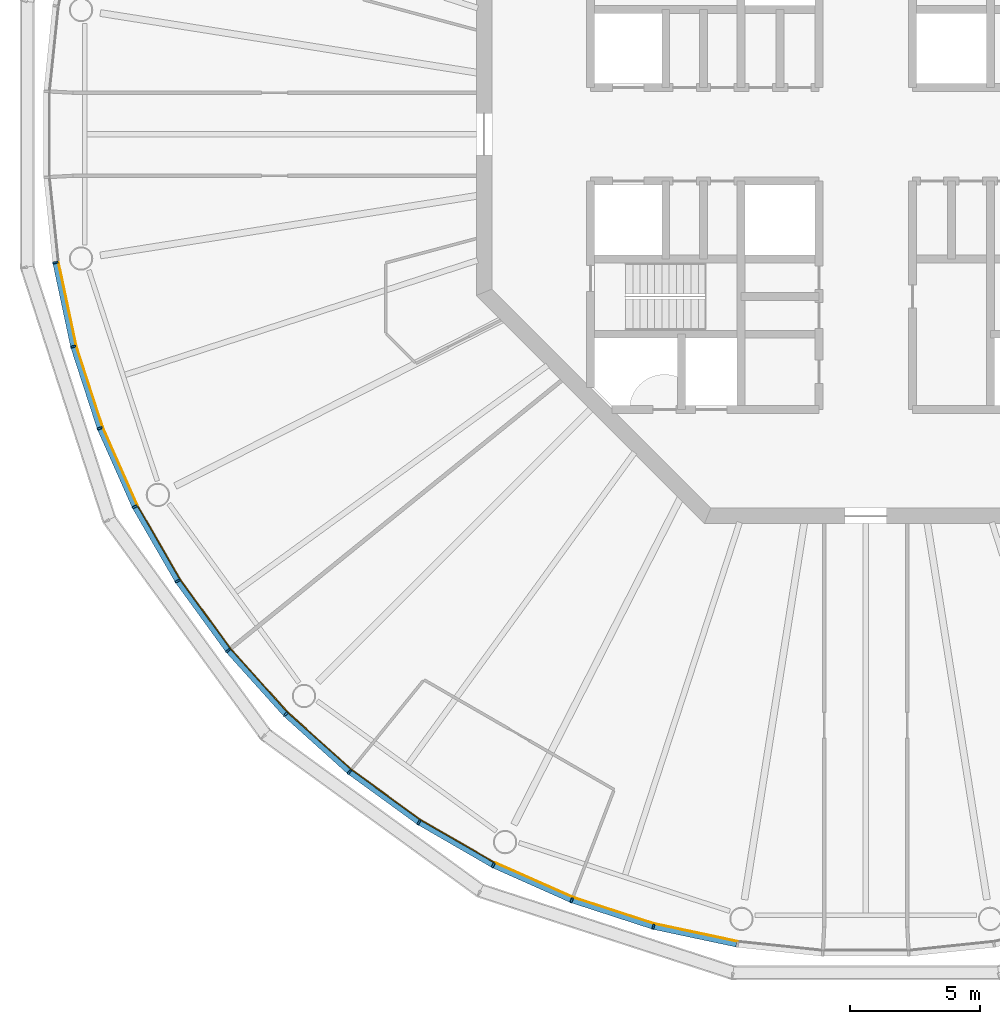
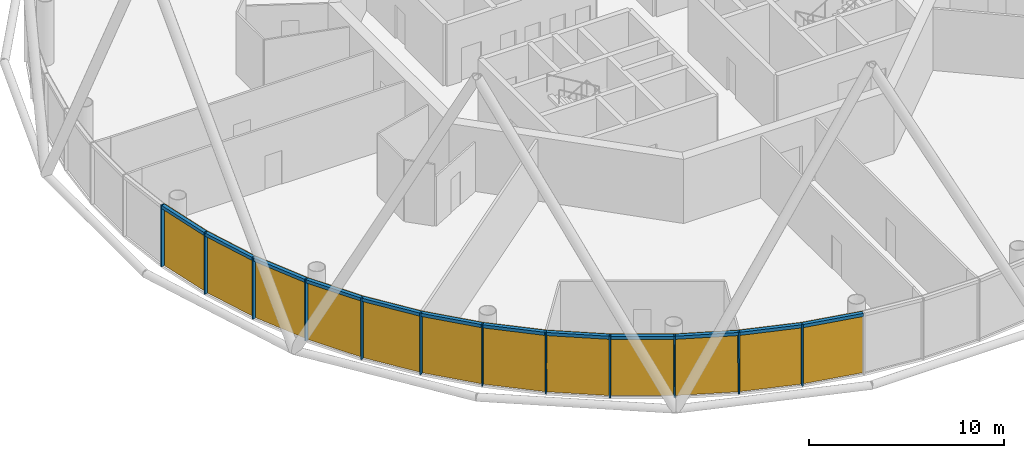
# One storey, part 7 of 13: 24 members, 4 curtain walls.
"""IFC4 building model written with IfcOpenShell, lengths in metres."""

from ifc_helpers import new_model, si_unit, direction, frame, origin, origin_2d, place, context, subcontext, project, spatial, polyline, rectangle, outline, extrude, material, layer, layer_set, material_profile, profile_set, type_object, element, aggregate, save


model = new_model("IFC4")

# Units and contexts
model_context = context("Model", 3, precision=1e-05, world=origin(), true_north=direction((0.0, 1.0)))
body_context = subcontext(model_context, "Body", "Model", "MODEL_VIEW")
ifc_project = project(units=[si_unit("LENGTHUNIT", "METRE"), si_unit("AREAUNIT", "SQUARE_METRE"), si_unit("VOLUMEUNIT", "CUBIC_METRE"), si_unit("PLANEANGLEUNIT", "RADIAN"), si_unit("MASSUNIT", "GRAM", prefix="KILO")], contexts=[model_context])

# Member
ifc_material_1 = material(Name="Anodised aluminium", Category="aluminium")
ifc_material_profile_1 = material_profile(ifc_material_1, rectangle(XDim=0.070068359375, YDim=0.205078125, at=origin_2d()), Name="Mullion 70 x 205 mm anodised aluminium")
ifc_profile_set_1 = profile_set([ifc_material_profile_1], Name="Anodised aluminium")
member_type_1 = type_object("IfcMemberType", Name="Mullion 70 x 205 mm anodised aluminium", PredefinedType="MULLION", material=ifc_profile_set_1)
site_placement = place(None, origin())
building_placement = place(site_placement, origin())
storey_placement = place(building_placement, frame((0.0, 0.0, 336.0)))
member_1_placement = place(storey_placement, frame((58.78662109375, 75.056396484375, 0.0), z_axis=(0.0, 0.0, 1.0), x_axis=(0.15643446504, -0.987688340595, 0.0)))
member_1 = element("IfcMember", 1, at=member_1_placement, type_object=member_type_1, Name="MULLION L77-30", PredefinedType="MULLION", context=body_context, shape_type="SweptSolid", body=[
    extrude(rectangle(XDim=0.070068359375, YDim=0.205078125, at=origin_2d()), origin(), (0.0, 0.0, 1.0), 3.85009765625),
])

member_2_placement = place(storey_placement, frame((59.474365234375, 71.820556640625, 0.0), z_axis=(0.0, 0.0, 1.0), x_axis=(0.258819045103, -0.965925826289, 0.0)))
member_2 = element("IfcMember", 2, at=member_2_placement, type_object=member_type_1, Name="MULLION L77-31", PredefinedType="MULLION", context=body_context, shape_type="SweptSolid", body=[
    extrude(rectangle(XDim=0.070068359375, YDim=0.205078125, at=origin_2d()), origin(), (0.0, 0.0, 1.0), 3.85009765625),
])

member_3_placement = place(storey_placement, frame((60.49658203125, 68.674560546875, 0.0), z_axis=(0.0, 0.0, 1.0), x_axis=(0.358367949545, -0.933580426497, 0.0)))
member_3 = element("IfcMember", 3, at=member_3_placement, type_object=member_type_1, Name="MULLION L77-32", PredefinedType="MULLION", context=body_context, shape_type="SweptSolid", body=[
    extrude(rectangle(XDim=0.070068359375, YDim=0.205078125, at=origin_2d()), origin(), (0.0, 0.0, 1.0), 3.85009765625),
])

member_4_placement = place(storey_placement, frame((61.842041015625, 65.65283203125, 0.0), z_axis=(0.0, 0.0, 1.0), x_axis=(0.45399049974, -0.891006524188, 0.0)))
member_4 = element("IfcMember", 4, at=member_4_placement, type_object=member_type_1, Name="MULLION L77-33", PredefinedType="MULLION", context=body_context, shape_type="SweptSolid", body=[
    extrude(rectangle(XDim=0.070068359375, YDim=0.205078125, at=origin_2d()), origin(), (0.0, 0.0, 1.0), 3.85009765625),
])

member_5_placement = place(storey_placement, frame((63.495849609375, 62.7880859375, 0.0), z_axis=(0.0, 0.0, 1.0), x_axis=(0.544639035015, -0.838670567945, 0.0)))
member_5 = element("IfcMember", 5, at=member_5_placement, type_object=member_type_1, Name="MULLION L77-34", PredefinedType="MULLION", context=body_context, shape_type="SweptSolid", body=[
    extrude(rectangle(XDim=0.070068359375, YDim=0.205078125, at=origin_2d()), origin(), (0.0, 0.0, 1.0), 3.85009765625),
])

member_6_placement = place(storey_placement, frame((65.440185546875, 60.11181640625, 0.0), z_axis=(0.0, 0.0, 1.0), x_axis=(0.62932039105, -0.777145961457, 0.0)))
member_6 = element("IfcMember", 6, at=member_6_placement, type_object=member_type_1, Name="MULLION L77-35", PredefinedType="MULLION", context=body_context, shape_type="SweptSolid", body=[
    extrude(rectangle(XDim=0.070068359375, YDim=0.205078125, at=origin_2d()), origin(), (0.0, 0.0, 1.0), 3.85009765625),
])

member_7_placement = place(storey_placement, frame((67.653564453125, 57.653564453125, 0.0), z_axis=(0.0, 0.0, 1.0), x_axis=(0.707106781187, -0.707106781187, 0.0)))
member_7 = element("IfcMember", 7, at=member_7_placement, type_object=member_type_1, Name="MULLION L77-36", PredefinedType="MULLION", context=body_context, shape_type="SweptSolid", body=[
    extrude(rectangle(XDim=0.070068359375, YDim=0.205078125, at=origin_2d()), origin(), (0.0, 0.0, 1.0), 3.85009765625),
])

member_8_placement = place(storey_placement, frame((70.11181640625, 55.440185546875, 0.0), z_axis=(0.0, 0.0, 1.0), x_axis=(0.777145961457, -0.62932039105, 0.0)))
member_8 = element("IfcMember", 8, at=member_8_placement, type_object=member_type_1, Name="MULLION L77-37", PredefinedType="MULLION", context=body_context, shape_type="SweptSolid", body=[
    extrude(rectangle(XDim=0.070068359375, YDim=0.205078125, at=origin_2d()), origin(), (0.0, 0.0, 1.0), 3.85009765625),
])

member_9_placement = place(storey_placement, frame((72.7880859375, 53.495849609375, 0.0), z_axis=(0.0, 0.0, 1.0), x_axis=(0.838670567945, -0.544639035015, 0.0)))
member_9 = element("IfcMember", 9, at=member_9_placement, type_object=member_type_1, Name="MULLION L77-38", PredefinedType="MULLION", context=body_context, shape_type="SweptSolid", body=[
    extrude(rectangle(XDim=0.070068359375, YDim=0.205078125, at=origin_2d()), origin(), (0.0, 0.0, 1.0), 3.85009765625),
])

member_10_placement = place(storey_placement, frame((75.65283203125, 51.842041015625, 0.0), z_axis=(0.0, 0.0, 1.0), x_axis=(0.891006524188, -0.45399049974, 0.0)))
member_10 = element("IfcMember", 10, at=member_10_placement, type_object=member_type_1, Name="MULLION L77-39", PredefinedType="MULLION", context=body_context, shape_type="SweptSolid", body=[
    extrude(rectangle(XDim=0.070068359375, YDim=0.205078125, at=origin_2d()), origin(), (0.0, 0.0, 1.0), 3.85009765625),
])

member_11_placement = place(storey_placement, frame((78.674560546875, 50.49658203125, 0.0), z_axis=(0.0, 0.0, 1.0), x_axis=(0.933580426497, -0.358367949545, 0.0)))
member_11 = element("IfcMember", 11, at=member_11_placement, type_object=member_type_1, Name="MULLION L77-40", PredefinedType="MULLION", context=body_context, shape_type="SweptSolid", body=[
    extrude(rectangle(XDim=0.070068359375, YDim=0.205078125, at=origin_2d()), origin(), (0.0, 0.0, 1.0), 3.85009765625),
])

member_12_placement = place(storey_placement, frame((81.820556640625, 49.474365234375, 0.0), z_axis=(0.0, 0.0, 1.0), x_axis=(0.965925826289, -0.258819045103, 0.0)))
member_12 = element("IfcMember", 12, at=member_12_placement, type_object=member_type_1, Name="MULLION L77-41", PredefinedType="MULLION", context=body_context, shape_type="SweptSolid", body=[
    extrude(rectangle(XDim=0.070068359375, YDim=0.205078125, at=origin_2d()), origin(), (0.0, 0.0, 1.0), 3.85009765625),
])

ifc_material_2 = material(Name="Anodised aluminium", Category="aluminium")
ifc_material_profile_2 = material_profile(ifc_material_2, rectangle(XDim=0.205078125, YDim=0.195068359375, at=origin_2d()), Name="Transom 195 x 205 mm anodised aluminium")
ifc_profile_set_2 = profile_set([ifc_material_profile_2], Name="Anodised aluminium")
member_type_2 = type_object("IfcMemberType", Name="Transom 195 x 205 mm anodised aluminium", PredefinedType="USERDEFINED", material=ifc_profile_set_2)
member_13_placement = place(storey_placement, frame((58.794921875, 75.016845703125, 3.75244140625), z_axis=(0.207885898771, -0.978153082647, 0.0), x_axis=(0.978153082647, 0.207885898771, 0.0)))
member_13 = element("IfcMember", 13, at=member_13_placement, type_object=member_type_2, Name="TRANSOM L77-30", ObjectType="TRANSOM", PredefinedType="USERDEFINED", context=body_context, shape_type="SweptSolid", body=[
    extrude(rectangle(XDim=0.205078125, YDim=0.195068359375, at=origin_2d()), origin(), (0.0, 0.0, 1.0), 3.227294921875),
])

member_14_placement = place(storey_placement, frame((59.486572265625, 71.7822265625, 3.75244140625), z_axis=(0.309046726844, -0.951046855117, 0.0), x_axis=(0.951046855117, 0.309046726844, 0.0)))
member_14 = element("IfcMember", 14, at=member_14_placement, type_object=member_type_2, Name="TRANSOM L77-31", ObjectType="TRANSOM", PredefinedType="USERDEFINED", context=body_context, shape_type="SweptSolid", body=[
    extrude(rectangle(XDim=0.205078125, YDim=0.195068359375, at=origin_2d()), origin(), (0.0, 0.0, 1.0), 3.22705078125),
])

member_15_placement = place(storey_placement, frame((60.5126953125, 68.6376953125, 3.75244140625), z_axis=(0.406791170024, -0.913521178731, 0.0), x_axis=(0.913521178731, 0.406791170024, 0.0)))
member_15 = element("IfcMember", 15, at=member_15_placement, type_object=member_type_2, Name="TRANSOM L77-32", ObjectType="TRANSOM", PredefinedType="USERDEFINED", context=body_context, shape_type="SweptSolid", body=[
    extrude(rectangle(XDim=0.205078125, YDim=0.195068359375, at=origin_2d()), origin(), (0.0, 0.0, 1.0), 3.22705078125),
])

member_16_placement = place(storey_placement, frame((61.862060546875, 65.61767578125, 3.75244140625), z_axis=(0.500004055213, -0.866023062494, 0.0), x_axis=(0.866023062494, 0.500004055213, 0.0)))
member_16 = element("IfcMember", 16, at=member_16_placement, type_object=member_type_2, Name="TRANSOM L77-33", ObjectType="TRANSOM", PredefinedType="USERDEFINED", context=body_context, shape_type="SweptSolid", body=[
    extrude(rectangle(XDim=0.205078125, YDim=0.195068359375, at=origin_2d()), origin(), (0.0, 0.0, 1.0), 3.22705078125),
])

member_17_placement = place(storey_placement, frame((63.51953125, 62.75537109375, 3.75244140625), z_axis=(0.587802790201, -0.809004252048, 0.0), x_axis=(0.809004252048, 0.587802790201, 0.0)))
member_17 = element("IfcMember", 17, at=member_17_placement, type_object=member_type_2, Name="TRANSOM L77-34", ObjectType="TRANSOM", PredefinedType="USERDEFINED", context=body_context, shape_type="SweptSolid", body=[
    extrude(rectangle(XDim=0.205078125, YDim=0.195068359375, at=origin_2d()), origin(), (0.0, 0.0, 1.0), 3.227294921875),
])

member_18_placement = place(storey_placement, frame((65.467041015625, 60.081787109375, 3.75244140625), z_axis=(0.669144438484, -0.743132370743, 0.0), x_axis=(0.743132370743, 0.669144438484, 0.0)))
member_18 = element("IfcMember", 18, at=member_18_placement, type_object=member_type_2, Name="TRANSOM L77-35", ObjectType="TRANSOM", PredefinedType="USERDEFINED", context=body_context, shape_type="SweptSolid", body=[
    extrude(rectangle(XDim=0.205078125, YDim=0.195068359375, at=origin_2d()), origin(), (0.0, 0.0, 1.0), 3.22705078125),
])

member_19_placement = place(storey_placement, frame((67.68359375, 57.62646484375, 3.75244140625), z_axis=(0.743132370743, -0.669144438484, 0.0), x_axis=(0.669144438484, 0.743132370743, 0.0)))
member_19 = element("IfcMember", 19, at=member_19_placement, type_object=member_type_2, Name="TRANSOM L77-36", ObjectType="TRANSOM", PredefinedType="USERDEFINED", context=body_context, shape_type="SweptSolid", body=[
    extrude(rectangle(XDim=0.205078125, YDim=0.195068359375, at=origin_2d()), origin(), (0.0, 0.0, 1.0), 3.22705078125),
])

member_20_placement = place(storey_placement, frame((70.14453125, 55.41650390625, 3.75244140625), z_axis=(0.809004252048, -0.587802790201, 0.0), x_axis=(0.587802790201, 0.809004252048, 0.0)))
member_20 = element("IfcMember", 20, at=member_20_placement, type_object=member_type_2, Name="TRANSOM L77-37", ObjectType="TRANSOM", PredefinedType="USERDEFINED", context=body_context, shape_type="SweptSolid", body=[
    extrude(rectangle(XDim=0.205078125, YDim=0.195068359375, at=origin_2d()), origin(), (0.0, 0.0, 1.0), 3.227294921875),
])

member_21_placement = place(storey_placement, frame((72.822998046875, 53.4755859375, 3.75244140625), z_axis=(0.866023062494, -0.500004055213, 0.0), x_axis=(0.500004055213, 0.866023062494, 0.0)))
member_21 = element("IfcMember", 21, at=member_21_placement, type_object=member_type_2, Name="TRANSOM L77-38", ObjectType="TRANSOM", PredefinedType="USERDEFINED", context=body_context, shape_type="SweptSolid", body=[
    extrude(rectangle(XDim=0.205078125, YDim=0.195068359375, at=origin_2d()), origin(), (0.0, 0.0, 1.0), 3.22705078125),
])

member_22_placement = place(storey_placement, frame((75.689697265625, 51.825439453125, 3.75244140625), z_axis=(0.913521178731, -0.406791170024, 0.0), x_axis=(0.406791170024, 0.913521178731, 0.0)))
member_22 = element("IfcMember", 22, at=member_22_placement, type_object=member_type_2, Name="TRANSOM L77-39", ObjectType="TRANSOM", PredefinedType="USERDEFINED", context=body_context, shape_type="SweptSolid", body=[
    extrude(rectangle(XDim=0.205078125, YDim=0.195068359375, at=origin_2d()), origin(), (0.0, 0.0, 1.0), 3.22705078125),
])

member_23_placement = place(storey_placement, frame((78.713134765625, 50.48388671875, 3.75244140625), z_axis=(0.951046855117, -0.309046726844, 0.0), x_axis=(0.309046726844, 0.951046855117, 0.0)))
member_23 = element("IfcMember", 23, at=member_23_placement, type_object=member_type_2, Name="TRANSOM L77-40", ObjectType="TRANSOM", PredefinedType="USERDEFINED", context=body_context, shape_type="SweptSolid", body=[
    extrude(rectangle(XDim=0.205078125, YDim=0.195068359375, at=origin_2d()), origin(), (0.0, 0.0, 1.0), 3.22705078125),
])

member_24_placement = place(storey_placement, frame((81.860107421875, 49.4658203125, 3.75244140625), z_axis=(0.978153082647, -0.207885898771, 0.0), x_axis=(0.207885898771, 0.978153082647, 0.0)))
member_24 = element("IfcMember", 24, at=member_24_placement, type_object=member_type_2, Name="TRANSOM L77-41", ObjectType="TRANSOM", PredefinedType="USERDEFINED", context=body_context, shape_type="SweptSolid", body=[
    extrude(rectangle(XDim=0.205078125, YDim=0.195068359375, at=origin_2d()), origin(), (0.0, 0.0, 1.0), 3.227294921875),
])

# Site, building, storey
site = spatial("IfcSite", under=ifc_project, at=site_placement, CompositionType="ELEMENT")
building = spatial("IfcBuilding", under=site, at=building_placement, Name="Entoto Ring Tower", CompositionType="ELEMENT")
storey = spatial("IfcBuildingStorey", under=building, at=storey_placement, Name="L77", CompositionType="ELEMENT", Elevation=336.0)

# Curtain wall
ifc_material_3 = material(Name="Clear low-iron glass", Category="glass")
ifc_layer = layer(ifc_material_3, 0.035888671875)
ifc_layer_set = layer_set([ifc_layer], Name="Clear low-iron glass")
curtain_wall_type = type_object("IfcCurtainWallType", Name="Curtain wall system CW6 glazing 36 mm", PredefinedType="NOTDEFINED", material=ifc_layer_set)
curtain_wall_1_placement = place(storey_placement, origin())
curtain_wall_1 = element("IfcCurtainWall", 25, at=curtain_wall_1_placement, inside=storey, type_object=curtain_wall_type, Name="CW6 L77-11", PredefinedType="NOTDEFINED", context=body_context, shape_type="SweptSolid", body=[
    extrude(outline(polyline([(58.8876953125, 75.072265625), (59.5732421875, 71.84716796875), (60.59228515625, 68.71142578125), (61.933349609375, 65.69921875), (61.96533203125, 65.715576171875), (60.6259765625, 68.724365234375), (59.608154296875, 71.8564453125), (58.92333984375, 75.077880859375), (58.8876953125, 75.072265625)])), origin(), (0.0, 0.0, 1.0), 3.85009765625),
])

aggregate(curtain_wall_1, [member_1, member_2, member_3, member_13, member_14, member_15])

curtain_wall_2_placement = place(storey_placement, origin())
curtain_wall_2 = element("IfcCurtainWall", 26, at=curtain_wall_2_placement, inside=storey, type_object=curtain_wall_type, Name="CW6 L77-12", PredefinedType="NOTDEFINED", context=body_context, shape_type="SweptSolid", body=[
    extrude(outline(polyline([(61.933349609375, 65.69921875), (63.581787109375, 62.84375), (65.52001953125, 60.176513671875), (67.72607421875, 57.72607421875), (67.751708984375, 57.751708984375), (65.5478515625, 60.198974609375), (63.612060546875, 62.863525390625), (61.96533203125, 65.715576171875), (61.933349609375, 65.69921875)])), origin(), (0.0, 0.0, 1.0), 3.85009765625),
])

aggregate(curtain_wall_2, [member_4, member_5, member_6, member_16, member_17, member_18])

curtain_wall_3_placement = place(storey_placement, origin())
curtain_wall_3 = element("IfcCurtainWall", 27, at=curtain_wall_3_placement, inside=storey, type_object=curtain_wall_type, Name="CW6 L77-13", PredefinedType="NOTDEFINED", context=body_context, shape_type="SweptSolid", body=[
    extrude(outline(polyline([(67.72607421875, 57.72607421875), (70.176513671875, 55.52001953125), (72.84375, 53.581787109375), (75.69921875, 51.933349609375), (75.715576171875, 51.96533203125), (72.863525390625, 53.612060546875), (70.198974609375, 55.5478515625), (67.751708984375, 57.751708984375), (67.72607421875, 57.72607421875)])), origin(), (0.0, 0.0, 1.0), 3.85009765625),
])

aggregate(curtain_wall_3, [member_7, member_8, member_9, member_19, member_20, member_21])

curtain_wall_4_placement = place(storey_placement, origin())
curtain_wall_4 = element("IfcCurtainWall", 28, at=curtain_wall_4_placement, inside=storey, type_object=curtain_wall_type, Name="CW6 L77-14", PredefinedType="NOTDEFINED", context=body_context, shape_type="SweptSolid", body=[
    extrude(outline(polyline([(75.69921875, 51.933349609375), (78.71142578125, 50.59228515625), (81.84716796875, 49.5732421875), (85.072265625, 48.8876953125), (85.077880859375, 48.92333984375), (81.8564453125, 49.608154296875), (78.724365234375, 50.6259765625), (75.715576171875, 51.96533203125), (75.69921875, 51.933349609375)])), origin(), (0.0, 0.0, 1.0), 3.85009765625),
])

aggregate(curtain_wall_4, [member_10, member_11, member_12, member_22, member_23, member_24])

save(model, "model.ifc")
